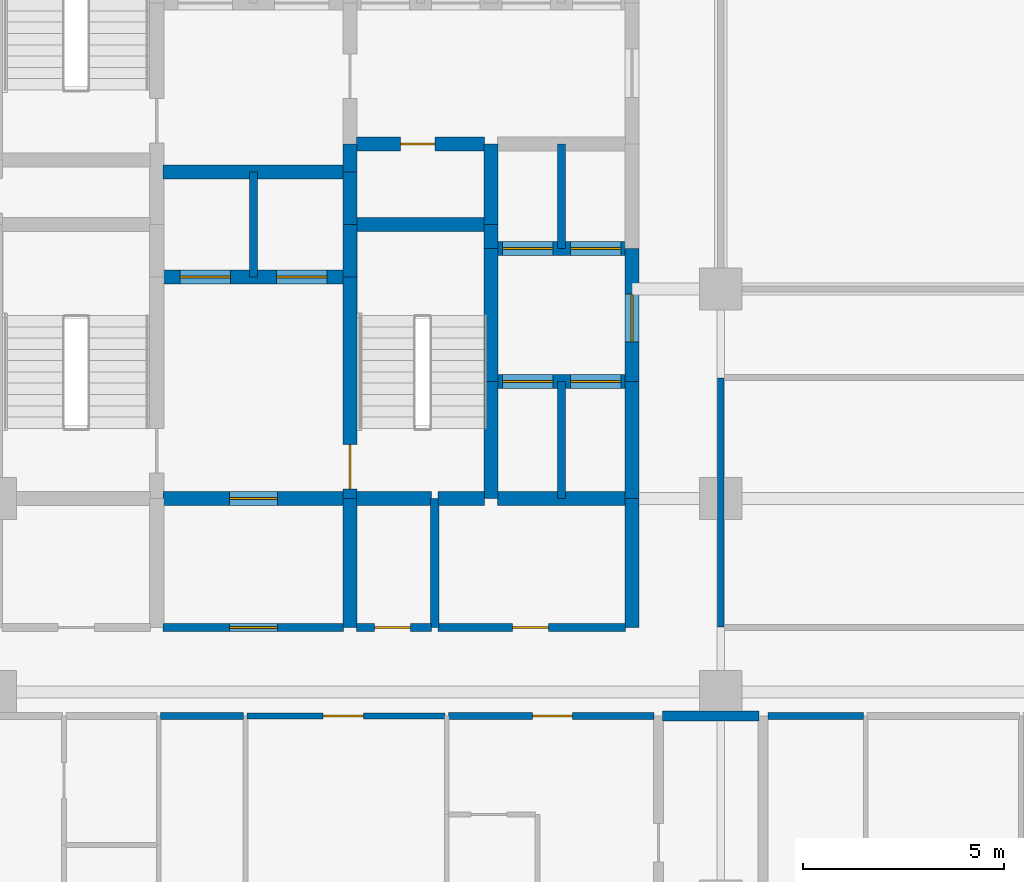
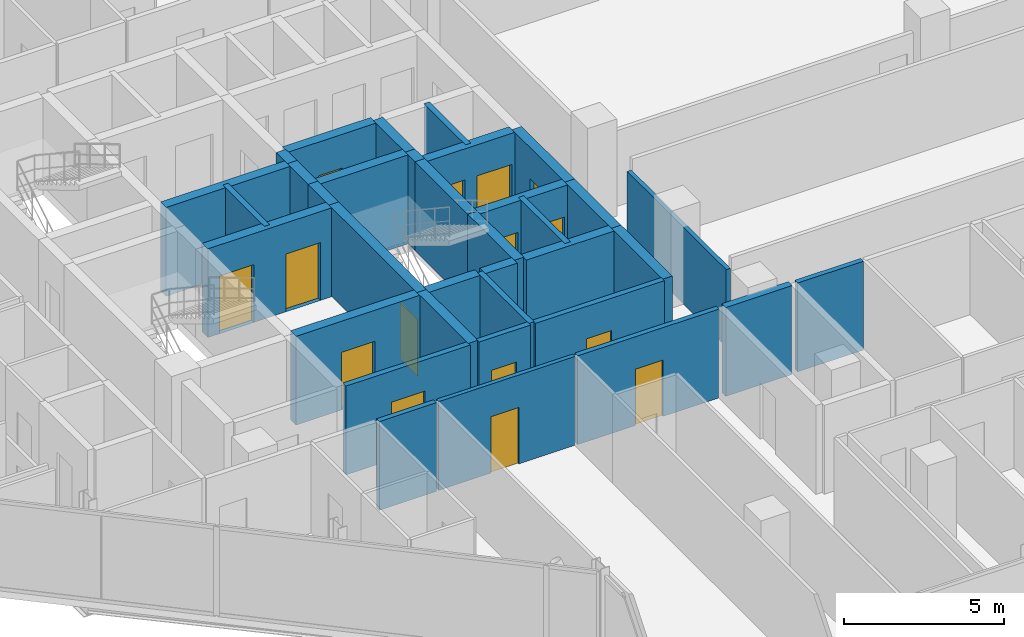
# One storey, part 24 of 29: 35 walls, 15 doors, 15 openings.
"""IFC4 building model written with IfcOpenShell, lengths in metres."""

from ifc_helpers import new_model, si_unit, direction, frame, frame_2d, origin, place, context, subcontext, project, spatial, rectangle, extrude, material, layer, layer_set, type_object, element, fill, save


model = new_model("IFC4")

# Units and contexts
model_context = context("Model", 3, precision=1e-05, world=origin(), true_north=direction((0.0, 1.0)))
body_context = subcontext(model_context, "Body", "Model", "MODEL_VIEW")
ifc_project = project(units=[si_unit("LENGTHUNIT", "METRE"), si_unit("AREAUNIT", "SQUARE_METRE"), si_unit("VOLUMEUNIT", "CUBIC_METRE"), si_unit("PLANEANGLEUNIT", "RADIAN"), si_unit("MASSUNIT", "GRAM", prefix="KILO")], contexts=[model_context])

# Site, building, storey
site_placement = place(None, origin())
site = spatial("IfcSite", under=ifc_project, at=site_placement, CompositionType="ELEMENT")
building_placement = place(site_placement, origin())
building = spatial("IfcBuilding", under=site, at=building_placement, Name="Keshet Zoharim Tower", CompositionType="ELEMENT")
storey_placement = place(building_placement, frame((0.0, 0.0, 105.699951171875)))
storey = spatial("IfcBuildingStorey", under=building, at=storey_placement, Name="L25", CompositionType="ELEMENT", Elevation=105.699951171875)

# Wall
ifc_material_1 = material(Name="Gypsum Plasterboard", Category="gypsum")
ifc_layer_1 = layer(ifc_material_1, 0.14990234375)
ifc_layer_set_1 = layer_set([ifc_layer_1], Name="Gypsum Plasterboard")
wall_type_1 = type_object("IfcWallType", Name="WL-CLIN-150", PredefinedType="STANDARD", material=ifc_layer_set_1)
wall_1_placement = place(storey_placement, frame((33.0, 19.510009765625, 0.0), z_axis=(0.0, 0.0, 1.0), x_axis=(0.0, 1.0, 0.0)))
element("IfcWall", 1, at=wall_1_placement, inside=storey, type_object=wall_type_1, Name="L25 Interior Wall 070", PredefinedType="STANDARD", context=body_context, shape_type="SweptSolid", body=[
    extrude(rectangle(XDim=6.179931640625, YDim=0.14990234375, at=frame_2d((3.08984375, 0.0))), origin(), (0.0, 0.0, 1.0), 2.93505859375),
])

# Wall, opening, door
wall_2_placement = place(storey_placement, frame((21.2451171875, 17.300048828125, 0.0), z_axis=(0.0, 0.0, 1.0), x_axis=(1.0, 0.0, 0.0)))
wall_2 = element("IfcWall", 2, at=wall_2_placement, inside=storey, type_object=wall_type_1, Name="L25 Interior Wall 130", PredefinedType="STANDARD", context=body_context, shape_type="SweptSolid", body=[
    extrude(rectangle(XDim=4.909912109375, YDim=0.14990234375, at=frame_2d((2.455078125, 0.0))), origin(), (0.0, 0.0, 1.0), 3.385009765625),
])
opening_1_placement = place(wall_2_placement, frame((1.884033203125, 0.0, 0.0)))
opening_1 = element("IfcOpeningElement", 3, at=opening_1_placement, cuts=wall_2, Name="Opening D-F310", PredefinedType="OPENING", context=body_context, shape_type="SweptSolid", body=[
    extrude(rectangle(XDim=1.0, YDim=2.14990234375, at=frame_2d((0.5, 1.074951171875))), frame((0.0, 0.0849609375, 0.0), z_axis=(0.0, -1.0, 0.0), x_axis=(1.0, 0.0, 0.0)), (0.0, 0.0, 1.0), 0.169921875),
])
ifc_material_2 = material(Name="Hardwood Timber", Category="wood")
door_type_1 = type_object("IfcDoorType", Name="DR-FD30-100", OperationType="NOTDEFINED", PredefinedType="DOOR", material=ifc_material_2)
door_1_placement = place(opening_1_placement, origin())
door_1 = element("IfcDoor", 4, at=door_1_placement, inside=storey, type_object=door_type_1, Name="L25 Residents Co-Working Office Door", OperationType="SINGLE_SWING_LEFT", OverallHeight=2.14990234375, OverallWidth=1.0, PredefinedType="DOOR", context=body_context, shape_type="SweptSolid", body=[
    extrude(rectangle(XDim=1.0, YDim=2.14990234375, at=frame_2d((0.5, 1.074951171875))), frame((0.0, 0.02490234375, 0.0), z_axis=(0.0, -1.0, 0.0), x_axis=(1.0, 0.0, 0.0)), (0.0, 0.0, 1.0), 0.050048828125),
])
fill(opening_1, door_1)

# Wall
ifc_material_3 = material(Name="Concrete C60/75", Category="concrete")
ifc_layer_2 = layer(ifc_material_3, 0.35009765625)
ifc_layer_set_2 = layer_set([ifc_layer_2], Name="Concrete C60/75")
wall_type_2 = type_object("IfcWallType", Name="WL-CORE-350", PredefinedType="SHEAR", material=ifc_layer_set_2)
wall_3_placement = place(storey_placement, frame((23.800048828125, 19.5, 0.0), z_axis=(0.0, 0.0, 1.0), x_axis=(0.0, 1.0, 0.0)))
element("IfcWall", 5, at=wall_3_placement, inside=storey, type_object=wall_type_2, Name="L25 Core Shear Wall 035", PredefinedType="SHEAR", context=body_context, shape_type="SweptSolid", body=[
    extrude(rectangle(XDim=3.199951171875, YDim=0.35009765625, at=frame_2d((1.60009765625, 0.0))), origin(), (0.0, 0.0, 1.0), 3.385009765625),
])

# Wall, opening, door
wall_4_placement = place(storey_placement, frame((23.800048828125, 22.699951171875, 0.0), z_axis=(0.0, 0.0, 1.0), x_axis=(0.0, 1.0, 0.0)))
wall_4 = element("IfcWall", 6, at=wall_4_placement, inside=storey, type_object=wall_type_2, Name="L25 Core Shear Wall 036", PredefinedType="SHEAR", context=body_context, shape_type="SweptSolid", body=[
    extrude(rectangle(XDim=5.5, YDim=0.35009765625, at=frame_2d((2.75, 0.0))), origin(), (0.0, 0.0, 1.0), 3.385009765625),
])
opening_2_placement = place(wall_4_placement, frame((0.235107421875, 0.0, 0.0)))
opening_2 = element("IfcOpeningElement", 7, at=opening_2_placement, cuts=wall_4, Name="Opening D-F611", PredefinedType="OPENING", context=body_context, shape_type="SweptSolid", body=[
    extrude(rectangle(XDim=1.10009765625, YDim=2.14990234375, at=frame_2d((0.550048828125, 1.074951171875))), frame((0.0, 0.18505859375, 0.0), z_axis=(0.0, -1.0, 0.0), x_axis=(1.0, 0.0, 0.0)), (0.0, 0.0, 1.0), 0.3701171875),
])
door_type_2 = type_object("IfcDoorType", Name="DR-FD60-110", OperationType="NOTDEFINED", PredefinedType="DOOR", material=ifc_material_2)
door_2_placement = place(opening_2_placement, frame((1.10009765625, 0.0, 0.0), z_axis=(0.0, 0.0, 1.0), x_axis=(-1.0, 0.0, 0.0)))
door_2 = element("IfcDoor", 8, at=door_2_placement, inside=storey, type_object=door_type_2, Name="L25 Exit Stair ST-03 Fire Door", OperationType="SINGLE_SWING_LEFT", OverallHeight=2.14990234375, OverallWidth=1.10009765625, PredefinedType="DOOR", context=body_context, shape_type="SweptSolid", body=[
    extrude(rectangle(XDim=1.10009765625, YDim=2.14990234375, at=frame_2d((0.550048828125, 1.074951171875))), frame((0.0, 0.02490234375, 0.0), z_axis=(0.0, -1.0, 0.0), x_axis=(1.0, 0.0, 0.0)), (0.0, 0.0, 1.0), 0.050048828125),
])
fill(opening_2, door_2)

# Walls
for number, where, z_axis, x_axis, name in (
    (9, (23.800048828125, 28.199951171875, 0.0), (0.0, 0.0, 1.0), (0.0, 1.0, 0.0), "L25 Core Shear Wall 037"),
    (10, (23.800048828125, 29.5, 0.0), (0.0, 0.0, 1.0), (0.0, 1.0, 0.0), "L25 Core Shear Wall 038"),
):
    element("IfcWall", number, at=place(storey_placement, frame(where, z_axis=z_axis, x_axis=x_axis)), inside=storey, type_object=wall_type_2, Name=name, PredefinedType="SHEAR", context=body_context, shape_type="SweptSolid", body=[
        extrude(rectangle(XDim=1.300048828125, YDim=0.35009765625, at=frame_2d((0.64990234375, 0.0))), origin(), (0.0, 0.0, 1.0), 3.385009765625),
    ])
wall_5_placement = place(storey_placement, frame((23.800048828125, 30.800048828125, 0.0), z_axis=(0.0, 0.0, 1.0), x_axis=(0.0, 1.0, 0.0)))
element("IfcWall", 11, at=wall_5_placement, inside=storey, type_object=wall_type_2, Name="L25 Core Shear Wall 039", PredefinedType="SHEAR", context=body_context, shape_type="SweptSolid", body=[
    extrude(rectangle(XDim=0.699951171875, YDim=0.35009765625, at=frame_2d((0.35009765625, 0.0))), origin(), (0.0, 0.0, 1.0), 3.385009765625),
])
wall_6_placement = place(storey_placement, frame((27.300048828125, 22.699951171875, 0.0), z_axis=(0.0, 0.0, 1.0), x_axis=(0.0, 1.0, 0.0)))
element("IfcWall", 12, at=wall_6_placement, inside=storey, type_object=wall_type_2, Name="L25 Core Shear Wall 047", PredefinedType="SHEAR", context=body_context, shape_type="SweptSolid", body=[
    extrude(rectangle(XDim=2.900146484375, YDim=0.35009765625, at=frame_2d((1.4501953125, 0.0))), origin(), (0.0, 0.0, 1.0), 3.385009765625),
])
wall_7_placement = place(storey_placement, frame((27.300048828125, 25.60009765625, 0.0), z_axis=(0.0, 0.0, 1.0), x_axis=(0.0, 1.0, 0.0)))
element("IfcWall", 13, at=wall_7_placement, inside=storey, type_object=wall_type_2, Name="L25 Core Shear Wall 048", PredefinedType="SHEAR", context=body_context, shape_type="SweptSolid", body=[
    extrude(rectangle(XDim=3.2998046875, YDim=0.35009765625, at=frame_2d((1.64990234375, 0.0))), origin(), (0.0, 0.0, 1.0), 3.385009765625),
])
wall_8_placement = place(storey_placement, frame((27.300048828125, 28.89990234375, 0.0), z_axis=(0.0, 0.0, 1.0), x_axis=(0.0, 1.0, 0.0)))
element("IfcWall", 14, at=wall_8_placement, inside=storey, type_object=wall_type_2, Name="L25 Core Shear Wall 049", PredefinedType="SHEAR", context=body_context, shape_type="SweptSolid", body=[
    extrude(rectangle(XDim=0.60009765625, YDim=0.35009765625, at=frame_2d((0.300048828125, 0.0))), origin(), (0.0, 0.0, 1.0), 3.385009765625),
])
wall_9_placement = place(storey_placement, frame((27.300048828125, 29.5, 0.0), z_axis=(0.0, 0.0, 1.0), x_axis=(0.0, 1.0, 0.0)))
element("IfcWall", 15, at=wall_9_placement, inside=storey, type_object=wall_type_2, Name="L25 Core Shear Wall 050", PredefinedType="SHEAR", context=body_context, shape_type="SweptSolid", body=[
    extrude(rectangle(XDim=2.0, YDim=0.35009765625, at=frame_2d((1.0, 0.0))), origin(), (0.0, 0.0, 1.0), 3.385009765625),
])
wall_10_placement = place(storey_placement, frame((30.800048828125, 19.5, 0.0), z_axis=(0.0, 0.0, 1.0), x_axis=(0.0, 1.0, 0.0)))
element("IfcWall", 16, at=wall_10_placement, inside=storey, type_object=wall_type_2, Name="L25 Core Shear Wall 059", PredefinedType="SHEAR", context=body_context, shape_type="SweptSolid", body=[
    extrude(rectangle(XDim=3.199951171875, YDim=0.35009765625, at=frame_2d((1.60009765625, 0.0))), origin(), (0.0, 0.0, 1.0), 3.385009765625),
])
wall_11_placement = place(storey_placement, frame((30.800048828125, 22.699951171875, 0.0), z_axis=(0.0, 0.0, 1.0), x_axis=(0.0, 1.0, 0.0)))
element("IfcWall", 17, at=wall_11_placement, inside=storey, type_object=wall_type_2, Name="L25 Core Shear Wall 060", PredefinedType="SHEAR", context=body_context, shape_type="SweptSolid", body=[
    extrude(rectangle(XDim=2.900146484375, YDim=0.35009765625, at=frame_2d((1.4501953125, 0.0))), origin(), (0.0, 0.0, 1.0), 3.385009765625),
])

# Wall, opening, door
wall_12_placement = place(storey_placement, frame((30.800048828125, 25.60009765625, 0.0), z_axis=(0.0, 0.0, 1.0), x_axis=(0.0, 1.0, 0.0)))
wall_12 = element("IfcWall", 18, at=wall_12_placement, inside=storey, type_object=wall_type_2, Name="L25 Core Shear Wall 061", PredefinedType="SHEAR", context=body_context, shape_type="SweptSolid", body=[
    extrude(rectangle(XDim=3.2998046875, YDim=0.35009765625, at=frame_2d((1.64990234375, 0.0))), origin(), (0.0, 0.0, 1.0), 3.385009765625),
])
opening_3_placement = place(wall_12_placement, frame((0.97802734375, 0.0, 0.0)))
opening_3 = element("IfcOpeningElement", 19, at=opening_3_placement, cuts=wall_12, Name="Opening D-F612", PredefinedType="OPENING", context=body_context, shape_type="SweptSolid", body=[
    extrude(rectangle(XDim=1.199951171875, YDim=2.199951171875, at=frame_2d((0.60009765625, 1.10009765625))), frame((0.0, 0.18505859375, 0.0), z_axis=(0.0, -1.0, 0.0), x_axis=(1.0, 0.0, 0.0)), (0.0, 0.0, 1.0), 0.3701171875),
])
door_type_3 = type_object("IfcDoorType", Name="DR-FD60-120", OperationType="NOTDEFINED", PredefinedType="DOOR", material=ifc_material_2)
door_3_placement = place(opening_3_placement, origin())
door_3 = element("IfcDoor", 20, at=door_3_placement, inside=storey, type_object=door_type_3, Name="L25 East Lift Lobby Fire Door", OperationType="SINGLE_SWING_LEFT", OverallHeight=2.199951171875, OverallWidth=1.199951171875, PredefinedType="DOOR", context=body_context, shape_type="SweptSolid", body=[
    extrude(rectangle(XDim=1.199951171875, YDim=2.199951171875, at=frame_2d((0.60009765625, 1.10009765625))), frame((0.0, 0.02490234375, 0.0), z_axis=(0.0, -1.0, 0.0), x_axis=(1.0, 0.0, 0.0)), (0.0, 0.0, 1.0), 0.050048828125),
])
fill(opening_3, door_3)

wall_13_placement = place(storey_placement, frame((19.159912109375, 22.699951171875, 0.0), z_axis=(0.0, 0.0, 1.0), x_axis=(1.0, 0.0, 0.0)))
wall_13 = element("IfcWall", 21, at=wall_13_placement, inside=storey, type_object=wall_type_2, Name="L25 Core Shear Wall 150", PredefinedType="SHEAR", context=body_context, shape_type="SweptSolid", body=[
    extrude(rectangle(XDim=4.47998046875, YDim=0.35009765625, at=frame_2d((2.239990234375, 0.0))), origin(), (0.0, 0.0, 1.0), 3.385009765625),
])
opening_4_placement = place(wall_13_placement, frame((1.639892578125, 0.0, 0.0)))
opening_4 = element("IfcOpeningElement", 22, at=opening_4_placement, cuts=wall_13, Name="Opening D-F612", PredefinedType="OPENING", context=body_context, shape_type="SweptSolid", body=[
    extrude(rectangle(XDim=1.199951171875, YDim=2.199951171875, at=frame_2d((0.60009765625, 1.10009765625))), frame((0.0, 0.18505859375, 0.0), z_axis=(0.0, -1.0, 0.0), x_axis=(1.0, 0.0, 0.0)), (0.0, 0.0, 1.0), 0.3701171875),
])
door_4_placement = place(opening_4_placement, origin())
door_4 = element("IfcDoor", 23, at=door_4_placement, inside=storey, type_object=door_type_3, Name="L25 South Core Lobby Fire Door", OperationType="SINGLE_SWING_RIGHT", OverallHeight=2.199951171875, OverallWidth=1.199951171875, PredefinedType="DOOR", context=body_context, shape_type="SweptSolid", body=[
    extrude(rectangle(XDim=1.199951171875, YDim=2.199951171875, at=frame_2d((0.60009765625, 1.10009765625))), frame((0.0, 0.02490234375, 0.0), z_axis=(0.0, -1.0, 0.0), x_axis=(1.0, 0.0, 0.0)), (0.0, 0.0, 1.0), 0.050048828125),
])
fill(opening_4, door_4)

# Walls
wall_14_placement = place(storey_placement, frame((23.9599609375, 22.699951171875, 0.0), z_axis=(0.0, 0.0, 1.0), x_axis=(1.0, 0.0, 0.0)))
element("IfcWall", 24, at=wall_14_placement, inside=storey, type_object=wall_type_2, Name="L25 Core Shear Wall 151", PredefinedType="SHEAR", context=body_context, shape_type="SweptSolid", body=[
    extrude(rectangle(XDim=1.85498046875, YDim=0.35009765625, at=frame_2d((0.927490234375, 0.0))), origin(), (0.0, 0.0, 1.0), 3.385009765625),
])
wall_15_placement = place(storey_placement, frame((25.985107421875, 22.699951171875, 0.0), z_axis=(0.0, 0.0, 1.0), x_axis=(1.0, 0.0, 0.0)))
element("IfcWall", 25, at=wall_15_placement, inside=storey, type_object=wall_type_2, Name="L25 Core Shear Wall 152", PredefinedType="SHEAR", context=body_context, shape_type="SweptSolid", body=[
    extrude(rectangle(XDim=1.15478515625, YDim=0.35009765625, at=frame_2d((0.577392578125, 0.0))), origin(), (0.0, 0.0, 1.0), 3.385009765625),
])
wall_16_placement = place(storey_placement, frame((27.4599609375, 22.699951171875, 0.0), z_axis=(0.0, 0.0, 1.0), x_axis=(1.0, 0.0, 0.0)))
element("IfcWall", 26, at=wall_16_placement, inside=storey, type_object=wall_type_2, Name="L25 Core Shear Wall 153", PredefinedType="SHEAR", context=body_context, shape_type="SweptSolid", body=[
    extrude(rectangle(XDim=3.179931640625, YDim=0.35009765625, at=frame_2d((1.58984375, 0.0))), origin(), (0.0, 0.0, 1.0), 3.385009765625),
])

# Wall, openings, doors
wall_17_placement = place(storey_placement, frame((27.4599609375, 25.60009765625, 0.0), z_axis=(0.0, 0.0, 1.0), x_axis=(1.0, 0.0, 0.0)))
wall_17 = element("IfcWall", 27, at=wall_17_placement, inside=storey, type_object=wall_type_2, Name="L25 Core Shear Wall 156", PredefinedType="SHEAR", context=body_context, shape_type="SweptSolid", body=[
    extrude(rectangle(XDim=3.179931640625, YDim=0.35009765625, at=frame_2d((1.58984375, 0.0))), origin(), (0.0, 0.0, 1.0), 3.385009765625),
])
opening_5_placement = place(wall_17_placement, frame((0.1201171875, 0.0, 0.0)))
opening_5 = element("IfcOpeningElement", 28, at=opening_5_placement, cuts=wall_17, Name="Opening LD-01", PredefinedType="OPENING", context=body_context, shape_type="SweptSolid", body=[
    extrude(rectangle(XDim=1.25, YDim=2.199951171875, at=frame_2d((0.625, 1.10009765625))), frame((0.0, 0.18505859375, 0.0), z_axis=(0.0, -1.0, 0.0), x_axis=(1.0, 0.0, 0.0)), (0.0, 0.0, 1.0), 0.3701171875),
])
opening_6_placement = place(wall_17_placement, frame((1.81005859375, 0.0, 0.0)))
opening_6 = element("IfcOpeningElement", 29, at=opening_6_placement, cuts=wall_17, Name="Opening LD-01", PredefinedType="OPENING", context=body_context, shape_type="SweptSolid", body=[
    extrude(rectangle(XDim=1.25, YDim=2.199951171875, at=frame_2d((0.625, 1.10009765625))), frame((0.0, 0.18505859375, 0.0), z_axis=(0.0, -1.0, 0.0), x_axis=(1.0, 0.0, 0.0)), (0.0, 0.0, 1.0), 0.3701171875),
])
ifc_material_4 = material(Name="Steel S355", Category="steel")
door_type_4 = type_object("IfcDoorType", Name="DR-LD01-125", OperationType="DOUBLE_DOOR_SLIDING", PredefinedType="DOOR", material=ifc_material_4)
door_5_placement = place(opening_5_placement, origin())
door_5 = element("IfcDoor", 30, at=door_5_placement, inside=storey, type_object=door_type_4, Name="L25 Passenger Lift Landing Door LF-07", OperationType="DOUBLE_DOOR_SLIDING", OverallHeight=2.199951171875, OverallWidth=1.25, PredefinedType="DOOR", context=body_context, shape_type="SweptSolid", body=[
    extrude(rectangle(XDim=1.25, YDim=2.199951171875, at=frame_2d((0.625, 1.10009765625))), frame((0.0, 0.02490234375, 0.0), z_axis=(0.0, -1.0, 0.0), x_axis=(1.0, 0.0, 0.0)), (0.0, 0.0, 1.0), 0.050048828125),
])
fill(opening_5, door_5)
door_6_placement = place(opening_6_placement, origin())
door_6 = element("IfcDoor", 31, at=door_6_placement, inside=storey, type_object=door_type_4, Name="L25 Passenger Lift Landing Door LF-08", OperationType="DOUBLE_DOOR_SLIDING", OverallHeight=2.199951171875, OverallWidth=1.25, PredefinedType="DOOR", context=body_context, shape_type="SweptSolid", body=[
    extrude(rectangle(XDim=1.25, YDim=2.199951171875, at=frame_2d((0.625, 1.10009765625))), frame((0.0, 0.02490234375, 0.0), z_axis=(0.0, -1.0, 0.0), x_axis=(1.0, 0.0, 0.0)), (0.0, 0.0, 1.0), 0.050048828125),
])
fill(opening_6, door_6)

wall_18_placement = place(storey_placement, frame((19.159912109375, 28.199951171875, 0.0), z_axis=(0.0, 0.0, 1.0), x_axis=(1.0, 0.0, 0.0)))
wall_18 = element("IfcWall", 32, at=wall_18_placement, inside=storey, type_object=wall_type_2, Name="L25 Core Shear Wall 161", PredefinedType="SHEAR", context=body_context, shape_type="SweptSolid", body=[
    extrude(rectangle(XDim=4.47998046875, YDim=0.35009765625, at=frame_2d((2.239990234375, 0.0))), origin(), (0.0, 0.0, 1.0), 3.385009765625),
])
opening_7_placement = place(wall_18_placement, frame((0.4150390625, 0.0, 0.0)))
opening_7 = element("IfcOpeningElement", 33, at=opening_7_placement, cuts=wall_18, Name="Opening LD-01", PredefinedType="OPENING", context=body_context, shape_type="SweptSolid", body=[
    extrude(rectangle(XDim=1.25, YDim=2.199951171875, at=frame_2d((0.625, 1.10009765625))), frame((0.0, 0.18505859375, 0.0), z_axis=(0.0, -1.0, 0.0), x_axis=(1.0, 0.0, 0.0)), (0.0, 0.0, 1.0), 0.3701171875),
])
opening_8_placement = place(wall_18_placement, frame((2.81494140625, 0.0, 0.0)))
opening_8 = element("IfcOpeningElement", 34, at=opening_8_placement, cuts=wall_18, Name="Opening LD-01", PredefinedType="OPENING", context=body_context, shape_type="SweptSolid", body=[
    extrude(rectangle(XDim=1.25, YDim=2.199951171875, at=frame_2d((0.625, 1.10009765625))), frame((0.0, 0.18505859375, 0.0), z_axis=(0.0, -1.0, 0.0), x_axis=(1.0, 0.0, 0.0)), (0.0, 0.0, 1.0), 0.3701171875),
])
door_7_placement = place(opening_7_placement, origin())
door_7 = element("IfcDoor", 35, at=door_7_placement, inside=storey, type_object=door_type_4, Name="L25 Passenger Lift Landing Door LF-09", OperationType="DOUBLE_DOOR_SLIDING", OverallHeight=2.199951171875, OverallWidth=1.25, PredefinedType="DOOR", context=body_context, shape_type="SweptSolid", body=[
    extrude(rectangle(XDim=1.25, YDim=2.199951171875, at=frame_2d((0.625, 1.10009765625))), frame((0.0, 0.02490234375, 0.0), z_axis=(0.0, -1.0, 0.0), x_axis=(1.0, 0.0, 0.0)), (0.0, 0.0, 1.0), 0.050048828125),
])
fill(opening_7, door_7)
door_8_placement = place(opening_8_placement, origin())
door_8 = element("IfcDoor", 36, at=door_8_placement, inside=storey, type_object=door_type_4, Name="L25 Passenger Lift Landing Door LF-10", OperationType="DOUBLE_DOOR_SLIDING", OverallHeight=2.199951171875, OverallWidth=1.25, PredefinedType="DOOR", context=body_context, shape_type="SweptSolid", body=[
    extrude(rectangle(XDim=1.25, YDim=2.199951171875, at=frame_2d((0.625, 1.10009765625))), frame((0.0, 0.02490234375, 0.0), z_axis=(0.0, -1.0, 0.0), x_axis=(1.0, 0.0, 0.0)), (0.0, 0.0, 1.0), 0.050048828125),
])
fill(opening_8, door_8)

wall_19_placement = place(storey_placement, frame((27.4599609375, 28.89990234375, 0.0), z_axis=(0.0, 0.0, 1.0), x_axis=(1.0, 0.0, 0.0)))
wall_19 = element("IfcWall", 37, at=wall_19_placement, inside=storey, type_object=wall_type_2, Name="L25 Core Shear Wall 166", PredefinedType="SHEAR", context=body_context, shape_type="SweptSolid", body=[
    extrude(rectangle(XDim=3.179931640625, YDim=0.35009765625, at=frame_2d((1.58984375, 0.0))), origin(), (0.0, 0.0, 1.0), 3.385009765625),
])
opening_9_placement = place(wall_19_placement, frame((0.1201171875, 0.0, 0.0)))
opening_9 = element("IfcOpeningElement", 38, at=opening_9_placement, cuts=wall_19, Name="Opening LD-01", PredefinedType="OPENING", context=body_context, shape_type="SweptSolid", body=[
    extrude(rectangle(XDim=1.25, YDim=2.199951171875, at=frame_2d((0.625, 1.10009765625))), frame((0.0, 0.18505859375, 0.0), z_axis=(0.0, -1.0, 0.0), x_axis=(1.0, 0.0, 0.0)), (0.0, 0.0, 1.0), 0.3701171875),
])
opening_10_placement = place(wall_19_placement, frame((1.81005859375, 0.0, 0.0)))
opening_10 = element("IfcOpeningElement", 39, at=opening_10_placement, cuts=wall_19, Name="Opening LD-01", PredefinedType="OPENING", context=body_context, shape_type="SweptSolid", body=[
    extrude(rectangle(XDim=1.25, YDim=2.199951171875, at=frame_2d((0.625, 1.10009765625))), frame((0.0, 0.18505859375, 0.0), z_axis=(0.0, -1.0, 0.0), x_axis=(1.0, 0.0, 0.0)), (0.0, 0.0, 1.0), 0.3701171875),
])
door_9_placement = place(opening_9_placement, origin())
door_9 = element("IfcDoor", 40, at=door_9_placement, inside=storey, type_object=door_type_4, Name="L25 Passenger Lift Landing Door LF-05", OperationType="DOUBLE_DOOR_SLIDING", OverallHeight=2.199951171875, OverallWidth=1.25, PredefinedType="DOOR", context=body_context, shape_type="SweptSolid", body=[
    extrude(rectangle(XDim=1.25, YDim=2.199951171875, at=frame_2d((0.625, 1.10009765625))), frame((0.0, 0.02490234375, 0.0), z_axis=(0.0, -1.0, 0.0), x_axis=(1.0, 0.0, 0.0)), (0.0, 0.0, 1.0), 0.050048828125),
])
fill(opening_9, door_9)
door_10_placement = place(opening_10_placement, origin())
door_10 = element("IfcDoor", 41, at=door_10_placement, inside=storey, type_object=door_type_4, Name="L25 Passenger Lift Landing Door LF-06", OperationType="DOUBLE_DOOR_SLIDING", OverallHeight=2.199951171875, OverallWidth=1.25, PredefinedType="DOOR", context=body_context, shape_type="SweptSolid", body=[
    extrude(rectangle(XDim=1.25, YDim=2.199951171875, at=frame_2d((0.625, 1.10009765625))), frame((0.0, 0.02490234375, 0.0), z_axis=(0.0, -1.0, 0.0), x_axis=(1.0, 0.0, 0.0)), (0.0, 0.0, 1.0), 0.050048828125),
])
fill(opening_10, door_10)

# Walls
wall_20_placement = place(storey_placement, frame((23.9599609375, 29.5, 0.0), z_axis=(0.0, 0.0, 1.0), x_axis=(1.0, 0.0, 0.0)))
element("IfcWall", 42, at=wall_20_placement, inside=storey, type_object=wall_type_2, Name="L25 Core Shear Wall 168", PredefinedType="SHEAR", context=body_context, shape_type="SweptSolid", body=[
    extrude(rectangle(XDim=3.179931640625, YDim=0.35009765625, at=frame_2d((1.58984375, 0.0))), origin(), (0.0, 0.0, 1.0), 3.385009765625),
])
wall_21_placement = place(storey_placement, frame((19.159912109375, 30.800048828125, 0.0), z_axis=(0.0, 0.0, 1.0), x_axis=(1.0, 0.0, 0.0)))
element("IfcWall", 43, at=wall_21_placement, inside=storey, type_object=wall_type_2, Name="L25 Core Shear Wall 169", PredefinedType="SHEAR", context=body_context, shape_type="SweptSolid", body=[
    extrude(rectangle(XDim=4.47998046875, YDim=0.35009765625, at=frame_2d((2.239990234375, 0.0))), origin(), (0.0, 0.0, 1.0), 3.385009765625),
])

# Wall, opening, door
wall_22_placement = place(storey_placement, frame((23.9599609375, 31.5, 0.0), z_axis=(0.0, 0.0, 1.0), x_axis=(1.0, 0.0, 0.0)))
wall_22 = element("IfcWall", 44, at=wall_22_placement, inside=storey, type_object=wall_type_2, Name="L25 Core Shear Wall 173", PredefinedType="SHEAR", context=body_context, shape_type="SweptSolid", body=[
    extrude(rectangle(XDim=3.179931640625, YDim=0.35009765625, at=frame_2d((1.58984375, 0.0))), origin(), (0.0, 0.0, 1.0), 3.385009765625),
])
opening_11_placement = place(wall_22_placement, frame((1.093994140625, 0.0, 0.0)))
opening_11 = element("IfcOpeningElement", 45, at=opening_11_placement, cuts=wall_22, Name="Opening D-RS85", PredefinedType="OPENING", context=body_context, shape_type="SweptSolid", body=[
    extrude(rectangle(XDim=0.85009765625, YDim=2.10009765625, at=frame_2d((0.425048828125, 1.050048828125))), frame((0.0, 0.18505859375, 0.0), z_axis=(0.0, -1.0, 0.0), x_axis=(1.0, 0.0, 0.0)), (0.0, 0.0, 1.0), 0.3701171875),
])
door_type_5 = type_object("IfcDoorType", Name="DR-RIS-085", OperationType="NOTDEFINED", PredefinedType="DOOR", material=ifc_material_2)
door_11_placement = place(opening_11_placement, origin())
door_11 = element("IfcDoor", 46, at=door_11_placement, inside=storey, type_object=door_type_5, Name="L25 Telecom Riser Access Cupboard Door", OperationType="SINGLE_SWING_RIGHT", OverallHeight=2.10009765625, OverallWidth=0.85009765625, PredefinedType="DOOR", context=body_context, shape_type="SweptSolid", body=[
    extrude(rectangle(XDim=0.85009765625, YDim=2.10009765625, at=frame_2d((0.425048828125, 1.050048828125))), frame((0.0, 0.02490234375, 0.0), z_axis=(0.0, -1.0, 0.0), x_axis=(1.0, 0.0, 0.0)), (0.0, 0.0, 1.0), 0.050048828125),
])
fill(opening_11, door_11)

# Wall
ifc_layer_3 = layer(ifc_material_1, 0.179931640625)
ifc_layer_set_3 = layer_set([ifc_layer_3], Name="Gypsum Plasterboard")
wall_type_3 = type_object("IfcWallType", Name="WL-CORR-180", PredefinedType="STANDARD", material=ifc_layer_set_3)
wall_23_placement = place(storey_placement, frame((19.094970703125, 17.300048828125, 0.0), z_axis=(0.0, 0.0, 1.0), x_axis=(1.0, 0.0, 0.0)))
element("IfcWall", 47, at=wall_23_placement, inside=storey, type_object=wall_type_3, Name="L25 Interior Wall 129", PredefinedType="STANDARD", context=body_context, shape_type="SweptSolid", body=[
    extrude(rectangle(XDim=2.06005859375, YDim=0.179931640625, at=frame_2d((1.030029296875, 0.0))), origin(), (0.0, 0.0, 1.0), 3.385009765625),
])

# Wall, opening, door
wall_24_placement = place(storey_placement, frame((26.2451171875, 17.300048828125, 0.0), z_axis=(0.0, 0.0, 1.0), x_axis=(1.0, 0.0, 0.0)))
wall_24 = element("IfcWall", 48, at=wall_24_placement, inside=storey, type_object=wall_type_3, Name="L25 Interior Wall 131", PredefinedType="STANDARD", context=body_context, shape_type="SweptSolid", body=[
    extrude(rectangle(XDim=5.094970703125, YDim=0.179931640625, at=frame_2d((2.54736328125, 0.0))), origin(), (0.0, 0.0, 1.0), 3.385009765625),
])
opening_12_placement = place(wall_24_placement, frame((2.080078125, 0.0, 0.0)))
opening_12 = element("IfcOpeningElement", 49, at=opening_12_placement, cuts=wall_24, Name="Opening D-F310", PredefinedType="OPENING", context=body_context, shape_type="SweptSolid", body=[
    extrude(rectangle(XDim=1.0, YDim=2.14990234375, at=frame_2d((0.5, 1.074951171875))), frame((0.0, 0.10009765625, 0.0), z_axis=(0.0, -1.0, 0.0), x_axis=(1.0, 0.0, 0.0)), (0.0, 0.0, 1.0), 0.199951171875),
])
door_12_placement = place(opening_12_placement, origin())
door_12 = element("IfcDoor", 50, at=door_12_placement, inside=storey, type_object=door_type_1, Name="Apartment 2502 Entrance Door", OperationType="SINGLE_SWING_RIGHT", OverallHeight=2.14990234375, OverallWidth=1.0, PredefinedType="DOOR", context=body_context, shape_type="SweptSolid", body=[
    extrude(rectangle(XDim=1.0, YDim=2.14990234375, at=frame_2d((0.5, 1.074951171875))), frame((0.0, 0.02490234375, 0.0), z_axis=(0.0, -1.0, 0.0), x_axis=(1.0, 0.0, 0.0)), (0.0, 0.0, 1.0), 0.050048828125),
])
fill(opening_12, door_12)

# Walls
wall_25_placement = place(storey_placement, frame((34.173095703125, 17.300048828125, 0.0), z_axis=(0.0, 0.0, 1.0), x_axis=(1.0, 0.0, 0.0)))
element("IfcWall", 51, at=wall_25_placement, inside=storey, type_object=wall_type_3, Name="L25 Interior Wall 133", PredefinedType="STANDARD", context=body_context, shape_type="SweptSolid", body=[
    extrude(rectangle(XDim=2.367919921875, YDim=0.179931640625, at=frame_2d((1.18408203125, 0.0))), origin(), (0.0, 0.0, 1.0), 3.385009765625),
])
ifc_material_5 = material(Name="Concrete C50/60", Category="concrete")
ifc_layer_4 = layer(ifc_material_5, 0.199951171875)
ifc_layer_set_4 = layer_set([ifc_layer_4], Name="Concrete C50/60")
wall_type_4 = type_object("IfcWallType", Name="WL-FIRE-200", PredefinedType="STANDARD", material=ifc_layer_set_4)
wall_26_placement = place(storey_placement, frame((21.39990234375, 28.199951171875, 0.0), z_axis=(0.0, 0.0, 1.0), x_axis=(0.0, 1.0, 0.0)))
element("IfcWall", 52, at=wall_26_placement, inside=storey, type_object=wall_type_4, Name="L25 Interior Wall 031", PredefinedType="STANDARD", context=body_context, shape_type="SweptSolid", body=[
    extrude(rectangle(XDim=2.60009765625, YDim=0.199951171875, at=frame_2d((1.300048828125, 0.0))), origin(), (0.0, 0.0, 1.0), 3.385009765625),
])
wall_27_placement = place(storey_placement, frame((25.89990234375, 19.5, 0.0), z_axis=(0.0, 0.0, 1.0), x_axis=(0.0, 1.0, 0.0)))
element("IfcWall", 53, at=wall_27_placement, inside=storey, type_object=wall_type_4, Name="L25 Interior Wall 044", PredefinedType="STANDARD", context=body_context, shape_type="SweptSolid", body=[
    extrude(rectangle(XDim=3.199951171875, YDim=0.199951171875, at=frame_2d((1.60009765625, 0.0))), origin(), (0.0, 0.0, 1.0), 3.385009765625),
])
wall_28_placement = place(storey_placement, frame((29.050048828125, 22.699951171875, 0.0), z_axis=(0.0, 0.0, 1.0), x_axis=(0.0, 1.0, 0.0)))
element("IfcWall", 54, at=wall_28_placement, inside=storey, type_object=wall_type_4, Name="L25 Interior Wall 056", PredefinedType="STANDARD", context=body_context, shape_type="SweptSolid", body=[
    extrude(rectangle(XDim=2.900146484375, YDim=0.199951171875, at=frame_2d((1.4501953125, 0.0))), origin(), (0.0, 0.0, 1.0), 3.385009765625),
])
wall_29_placement = place(storey_placement, frame((29.050048828125, 28.89990234375, 0.0), z_axis=(0.0, 0.0, 1.0), x_axis=(0.0, 1.0, 0.0)))
element("IfcWall", 55, at=wall_29_placement, inside=storey, type_object=wall_type_4, Name="L25 Interior Wall 057", PredefinedType="STANDARD", context=body_context, shape_type="SweptSolid", body=[
    extrude(rectangle(XDim=2.60009765625, YDim=0.199951171875, at=frame_2d((1.300048828125, 0.0))), origin(), (0.0, 0.0, 1.0), 3.385009765625),
])

# Wall, opening, door
wall_30_placement = place(storey_placement, frame((19.159912109375, 19.5, 0.0), z_axis=(0.0, 0.0, 1.0), x_axis=(1.0, 0.0, 0.0)))
wall_30 = element("IfcWall", 56, at=wall_30_placement, inside=storey, type_object=wall_type_4, Name="L25 Interior Wall 142", PredefinedType="STANDARD", context=body_context, shape_type="SweptSolid", body=[
    extrude(rectangle(XDim=4.47998046875, YDim=0.199951171875, at=frame_2d((2.239990234375, 0.0))), origin(), (0.0, 0.0, 1.0), 3.385009765625),
])
opening_13_placement = place(wall_30_placement, frame((1.639892578125, 0.0, 0.0)))
opening_13 = element("IfcOpeningElement", 57, at=opening_13_placement, cuts=wall_30, Name="Opening D-F612", PredefinedType="OPENING", context=body_context, shape_type="SweptSolid", body=[
    extrude(rectangle(XDim=1.199951171875, YDim=2.199951171875, at=frame_2d((0.60009765625, 1.10009765625))), frame((0.0, 0.10986328125, 0.0), z_axis=(0.0, -1.0, 0.0), x_axis=(1.0, 0.0, 0.0)), (0.0, 0.0, 1.0), 0.219970703125),
])
door_13_placement = place(opening_13_placement, origin())
door_13 = element("IfcDoor", 58, at=door_13_placement, inside=storey, type_object=door_type_3, Name="L25 South Vestibule Corridor Door", OperationType="SINGLE_SWING_LEFT", OverallHeight=2.199951171875, OverallWidth=1.199951171875, PredefinedType="DOOR", context=body_context, shape_type="SweptSolid", body=[
    extrude(rectangle(XDim=1.199951171875, YDim=2.199951171875, at=frame_2d((0.60009765625, 1.10009765625))), frame((0.0, 0.02490234375, 0.0), z_axis=(0.0, -1.0, 0.0), x_axis=(1.0, 0.0, 0.0)), (0.0, 0.0, 1.0), 0.050048828125),
])
fill(opening_13, door_13)

wall_31_placement = place(storey_placement, frame((23.9599609375, 19.5, 0.0), z_axis=(0.0, 0.0, 1.0), x_axis=(1.0, 0.0, 0.0)))
wall_31 = element("IfcWall", 59, at=wall_31_placement, inside=storey, type_object=wall_type_4, Name="L25 Interior Wall 143", PredefinedType="STANDARD", context=body_context, shape_type="SweptSolid", body=[
    extrude(rectangle(XDim=1.85498046875, YDim=0.199951171875, at=frame_2d((0.927490234375, 0.0))), origin(), (0.0, 0.0, 1.0), 3.385009765625),
])
opening_14_placement = place(wall_31_placement, frame((0.43994140625, 0.0, 0.0)))
opening_14 = element("IfcOpeningElement", 60, at=opening_14_placement, cuts=wall_31, Name="Opening D-F690", PredefinedType="OPENING", context=body_context, shape_type="SweptSolid", body=[
    extrude(rectangle(XDim=0.89990234375, YDim=2.14990234375, at=frame_2d((0.449951171875, 1.074951171875))), frame((0.0, 0.10986328125, 0.0), z_axis=(0.0, -1.0, 0.0), x_axis=(1.0, 0.0, 0.0)), (0.0, 0.0, 1.0), 0.219970703125),
])
door_type_6 = type_object("IfcDoorType", Name="DR-FD60-090", OperationType="NOTDEFINED", PredefinedType="DOOR", material=ifc_material_2)
door_14_placement = place(opening_14_placement, origin())
door_14 = element("IfcDoor", 61, at=door_14_placement, inside=storey, type_object=door_type_6, Name="L25 Cleaners Store Door", OperationType="SINGLE_SWING_RIGHT", OverallHeight=2.14990234375, OverallWidth=0.89990234375, PredefinedType="DOOR", context=body_context, shape_type="SweptSolid", body=[
    extrude(rectangle(XDim=0.89990234375, YDim=2.14990234375, at=frame_2d((0.449951171875, 1.074951171875))), frame((0.0, 0.02490234375, 0.0), z_axis=(0.0, -1.0, 0.0), x_axis=(1.0, 0.0, 0.0)), (0.0, 0.0, 1.0), 0.050048828125),
])
fill(opening_14, door_14)

wall_32_placement = place(storey_placement, frame((25.985107421875, 19.5, 0.0), z_axis=(0.0, 0.0, 1.0), x_axis=(1.0, 0.0, 0.0)))
wall_32 = element("IfcWall", 62, at=wall_32_placement, inside=storey, type_object=wall_type_4, Name="L25 Interior Wall 144", PredefinedType="STANDARD", context=body_context, shape_type="SweptSolid", body=[
    extrude(rectangle(XDim=4.65478515625, YDim=0.199951171875, at=frame_2d((2.327392578125, 0.0))), origin(), (0.0, 0.0, 1.0), 3.385009765625),
])
opening_15_placement = place(wall_32_placement, frame((1.844970703125, 0.0, 0.0)))
opening_15 = element("IfcOpeningElement", 63, at=opening_15_placement, cuts=wall_32, Name="Opening D-F690", PredefinedType="OPENING", context=body_context, shape_type="SweptSolid", body=[
    extrude(rectangle(XDim=0.89990234375, YDim=2.14990234375, at=frame_2d((0.449951171875, 1.074951171875))), frame((0.0, 0.10986328125, 0.0), z_axis=(0.0, -1.0, 0.0), x_axis=(1.0, 0.0, 0.0)), (0.0, 0.0, 1.0), 0.219970703125),
])
door_15_placement = place(opening_15_placement, origin())
door_15 = element("IfcDoor", 64, at=door_15_placement, inside=storey, type_object=door_type_6, Name="L25 Meter Room Door", OperationType="SINGLE_SWING_LEFT", OverallHeight=2.14990234375, OverallWidth=0.89990234375, PredefinedType="DOOR", context=body_context, shape_type="SweptSolid", body=[
    extrude(rectangle(XDim=0.89990234375, YDim=2.14990234375, at=frame_2d((0.449951171875, 1.074951171875))), frame((0.0, 0.02490234375, 0.0), z_axis=(0.0, -1.0, 0.0), x_axis=(1.0, 0.0, 0.0)), (0.0, 0.0, 1.0), 0.050048828125),
])
fill(opening_15, door_15)

# Wall
ifc_layer_5 = layer(ifc_material_5, 0.25)
ifc_layer_set_5 = layer_set([ifc_layer_5], Name="Concrete C50/60")
wall_type_5 = type_object("IfcWallType", Name="WL-MAMAD-250", PredefinedType="STANDARD", material=ifc_layer_set_5)
wall_33_placement = place(storey_placement, frame((31.56005859375, 17.300048828125, 0.0), z_axis=(0.0, 0.0, 1.0), x_axis=(1.0, 0.0, 0.0)))
element("IfcWall", 65, at=wall_33_placement, inside=storey, type_object=wall_type_5, Name="L25 Interior Wall 132", PredefinedType="STANDARD", context=body_context, shape_type="SweptSolid", body=[
    extrude(rectangle(XDim=2.392822265625, YDim=0.25, at=frame_2d((1.1962890625, 0.0))), origin(), (0.0, 0.0, 1.0), 3.385009765625),
])

save(model, "model.ifc")
